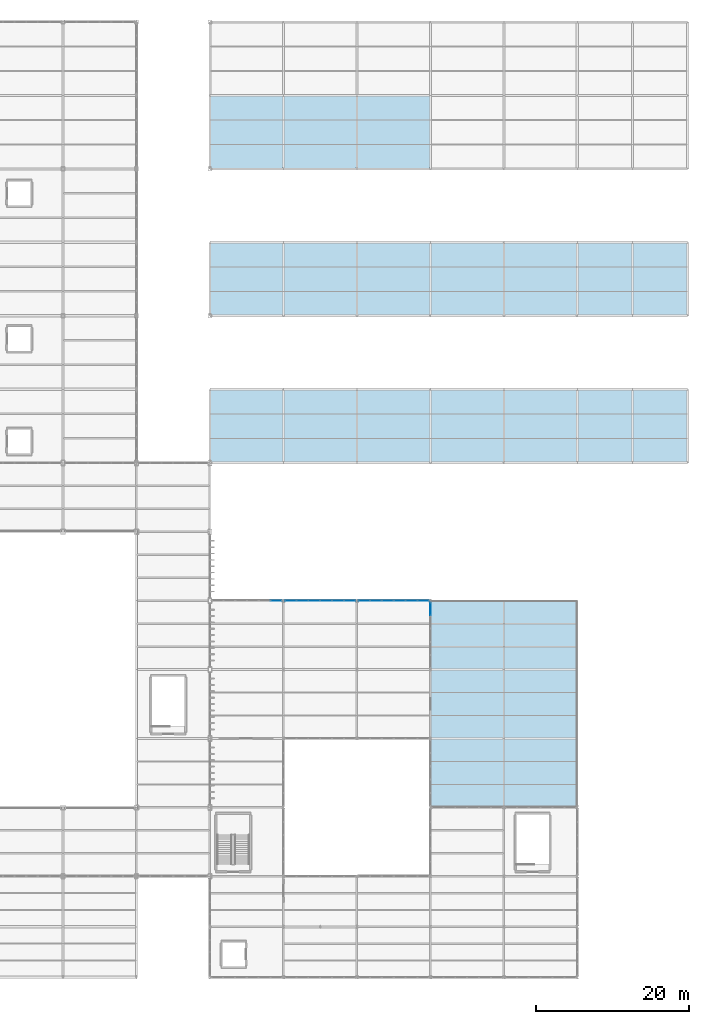
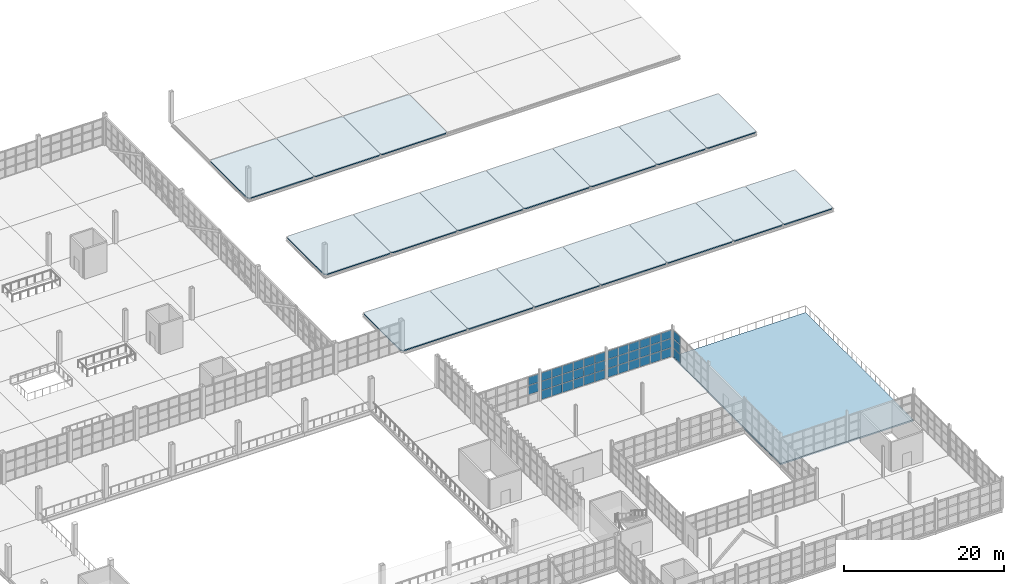
# One storey, part 94 of 120: 41 plates, 18 slabs, 4 elements without a shape of their own.
"""IFC4 building model written with IfcOpenShell, lengths in metres."""

from ifc_helpers import new_model, si_unit, direction, frame, origin, origin_2d, place, context, subcontext, project, spatial, polyline, rectangle, outline, extrude, material, layer, layer_set, type_object, element, aggregate, save


model = new_model("IFC4")

# Units and contexts
model_context = context("Model", 3, precision=1e-05, world=origin(), true_north=direction((0.0, 1.0)))
body_context = subcontext(model_context, "Body", "Model", "MODEL_VIEW")
ifc_project = project(units=[si_unit("LENGTHUNIT", "METRE"), si_unit("AREAUNIT", "SQUARE_METRE"), si_unit("VOLUMEUNIT", "CUBIC_METRE"), si_unit("PLANEANGLEUNIT", "RADIAN"), si_unit("MASSUNIT", "GRAM", prefix="KILO")], contexts=[model_context])

# Site, building, storey
site_placement = place(None, origin())
site = spatial("IfcSite", under=ifc_project, at=site_placement, CompositionType="ELEMENT")
building_placement = place(site_placement, origin())
building = spatial("IfcBuilding", under=site, at=building_placement, Name="Zarnetskaya Central Station", CompositionType="ELEMENT")
storey_placement = place(building_placement, frame((0.0, 0.0, 5.39990234375)))
storey = spatial("IfcBuildingStorey", under=building, at=storey_placement, Name="L01", CompositionType="ELEMENT", Elevation=5.39990234375)

# Curtain wall, plates
ifc_material_1 = material(Name="Low-E insulated glass", Category="glass")
ifc_layer_1 = layer(ifc_material_1, 0.159912109375, Name="Low-E insulated glass", Category="glass")
ifc_layer_set_1 = layer_set([ifc_layer_1], Name="Low-E insulated glass")
curtain_wall_type = type_object("IfcCurtainWallType", Name="CW-SYS-06", PredefinedType="USERDEFINED", material=ifc_layer_set_1)
curtain_wall_1_placement = place(storey_placement, origin())
curtain_wall_1 = element("IfcCurtainWall", 1, at=curtain_wall_1_placement, inside=storey, type_object=curtain_wall_type, Name="Curtain wall CW-L01-115", ObjectType="CURTAIN WALL", PredefinedType="USERDEFINED")
ifc_layer_2 = layer(ifc_material_1, 0.028076171875, Name="Low-E insulated glass", Category="glass")
ifc_layer_set_2 = layer_set([ifc_layer_2], Name="Low-E insulated glass")
plate_type_1 = type_object("IfcPlateType", Name="CW-PAN-28", PredefinedType="CURTAIN_PANEL", material=ifc_layer_set_2)
plate_1_placement = place(storey_placement, frame((153.60009765625, 48.135498046875, 0.0703125), z_axis=(0.0, 0.0, 1.0), x_axis=(0.0, -1.0, 0.0)))
plate_1 = element("IfcPlate", 2, at=plate_1_placement, type_object=plate_type_1, Name="CW-02 panel 1.1", PredefinedType="CURTAIN_PANEL", context=body_context, shape_type="SweptSolid", body=[
    extrude(rectangle(XDim=1.62890625, YDim=0.028076171875, at=origin_2d()), origin(), (0.0, 0.0, 1.0), 1.322998046875),
])
plate_2_placement = place(storey_placement, frame((153.60009765625, 48.135498046875, 1.463134765625), z_axis=(0.0, 0.0, 1.0), x_axis=(0.0, -1.0, 0.0)))
plate_2 = element("IfcPlate", 3, at=plate_2_placement, type_object=plate_type_1, Name="CW-02 panel 1.2", PredefinedType="CURTAIN_PANEL", context=body_context, shape_type="SweptSolid", body=[
    extrude(rectangle(XDim=1.62890625, YDim=0.028076171875, at=origin_2d()), origin(), (0.0, 0.0, 1.0), 1.35791015625),
])
plate_3_placement = place(storey_placement, frame((153.60009765625, 48.135498046875, 2.89111328125), z_axis=(0.0, 0.0, 1.0), x_axis=(0.0, -1.0, 0.0)))
plate_3 = element("IfcPlate", 4, at=plate_3_placement, type_object=plate_type_1, Name="CW-02 panel 1.3", PredefinedType="CURTAIN_PANEL", context=body_context, shape_type="SweptSolid", body=[
    extrude(rectangle(XDim=1.62890625, YDim=0.028076171875, at=origin_2d()), origin(), (0.0, 0.0, 1.0), 1.239013671875),
])
aggregate(curtain_wall_1, [plate_1, plate_2, plate_3])

curtain_wall_2_placement = place(storey_placement, origin())
curtain_wall_2 = element("IfcCurtainWall", 5, at=curtain_wall_2_placement, inside=storey, type_object=curtain_wall_type, Name="Curtain wall CW-L01-112", ObjectType="CURTAIN WALL", PredefinedType="USERDEFINED")
ifc_layer_3 = layer(ifc_material_1, 0.035888671875, Name="Low-E insulated glass", Category="glass")
ifc_layer_set_3 = layer_set([ifc_layer_3], Name="Low-E insulated glass")
plate_type_2 = type_object("IfcPlateType", Name="CW-PAN-36", PredefinedType="CURTAIN_PANEL", material=ifc_layer_set_3)
plate_4_placement = place(storey_placement, frame((133.46337890625, 49.199951171875, 1.46826171875), z_axis=(0.0, 0.0, 1.0), x_axis=(1.0, 0.0, 0.0)))
plate_4 = element("IfcPlate", 6, at=plate_4_placement, type_object=plate_type_2, Name="CW-02 panel 6.2", PredefinedType="CURTAIN_PANEL", context=body_context, shape_type="SweptSolid", body=[
    extrude(rectangle(XDim=1.413330078125, YDim=0.035888671875, at=origin_2d()), origin(), (0.0, 0.0, 1.0), 1.347900390625),
])
plate_5_placement = place(storey_placement, frame((133.46337890625, 49.199951171875, 2.89599609375), z_axis=(0.0, 0.0, 1.0), x_axis=(1.0, 0.0, 0.0)))
plate_5 = element("IfcPlate", 7, at=plate_5_placement, type_object=plate_type_2, Name="CW-02 panel 6.3", PredefinedType="CURTAIN_PANEL", context=body_context, shape_type="SweptSolid", body=[
    extrude(rectangle(XDim=1.413330078125, YDim=0.035888671875, at=origin_2d()), origin(), (0.0, 0.0, 1.0), 1.22412109375),
])
aggregate(curtain_wall_2, [plate_4, plate_5])

curtain_wall_3_placement = place(storey_placement, origin())
curtain_wall_3 = element("IfcCurtainWall", 8, at=curtain_wall_3_placement, inside=storey, type_object=curtain_wall_type, Name="Curtain wall CW-L01-113", ObjectType="CURTAIN WALL", PredefinedType="USERDEFINED")
ifc_layer_4 = layer(ifc_material_1, 0.0400390625, Name="Low-E insulated glass", Category="glass")
ifc_layer_set_4 = layer_set([ifc_layer_4], Name="Low-E insulated glass")
plate_type_3 = type_object("IfcPlateType", Name="CW-PAN-40", PredefinedType="CURTAIN_PANEL", material=ifc_layer_set_4)
plate_6_placement = place(storey_placement, frame((135.342529296875, 49.199951171875, 0.0703125), z_axis=(0.0, 0.0, 1.0), x_axis=(1.0, 0.0, 0.0)))
plate_6 = element("IfcPlate", 9, at=plate_6_placement, type_object=plate_type_3, Name="CW-02 panel 1.1", PredefinedType="CURTAIN_PANEL", context=body_context, shape_type="SweptSolid", body=[
    extrude(rectangle(XDim=1.445068359375, YDim=0.0400390625, at=origin_2d()), origin(), (0.0, 0.0, 1.0), 1.322998046875),
])
plate_7_placement = place(storey_placement, frame((135.342529296875, 49.199951171875, 1.463134765625), z_axis=(0.0, 0.0, 1.0), x_axis=(1.0, 0.0, 0.0)))
plate_7 = element("IfcPlate", 10, at=plate_7_placement, type_object=plate_type_3, Name="CW-02 panel 1.2", PredefinedType="CURTAIN_PANEL", context=body_context, shape_type="SweptSolid", body=[
    extrude(rectangle(XDim=1.445068359375, YDim=0.0400390625, at=origin_2d()), origin(), (0.0, 0.0, 1.0), 1.35791015625),
])
plate_8_placement = place(storey_placement, frame((135.342529296875, 49.199951171875, 2.89111328125), z_axis=(0.0, 0.0, 1.0), x_axis=(1.0, 0.0, 0.0)))
plate_8 = element("IfcPlate", 11, at=plate_8_placement, type_object=plate_type_3, Name="CW-02 panel 1.3", PredefinedType="CURTAIN_PANEL", context=body_context, shape_type="SweptSolid", body=[
    extrude(rectangle(XDim=1.445068359375, YDim=0.0400390625, at=origin_2d()), origin(), (0.0, 0.0, 1.0), 1.239013671875),
])
plate_9_placement = place(storey_placement, frame((136.875, 49.199951171875, 0.0703125), z_axis=(0.0, 0.0, 1.0), x_axis=(1.0, 0.0, 0.0)))
plate_9 = element("IfcPlate", 12, at=plate_9_placement, type_object=plate_type_3, Name="CW-02 panel 2.1", PredefinedType="CURTAIN_PANEL", context=body_context, shape_type="SweptSolid", body=[
    extrude(rectangle(XDim=1.47998046875, YDim=0.0400390625, at=origin_2d()), origin(), (0.0, 0.0, 1.0), 1.322998046875),
])
plate_10_placement = place(storey_placement, frame((136.875, 49.199951171875, 1.463134765625), z_axis=(0.0, 0.0, 1.0), x_axis=(1.0, 0.0, 0.0)))
plate_10 = element("IfcPlate", 13, at=plate_10_placement, type_object=plate_type_3, Name="CW-02 panel 2.2", PredefinedType="CURTAIN_PANEL", context=body_context, shape_type="SweptSolid", body=[
    extrude(rectangle(XDim=1.47998046875, YDim=0.0400390625, at=origin_2d()), origin(), (0.0, 0.0, 1.0), 1.35791015625),
])
plate_11_placement = place(storey_placement, frame((136.875, 49.199951171875, 2.89111328125), z_axis=(0.0, 0.0, 1.0), x_axis=(1.0, 0.0, 0.0)))
plate_11 = element("IfcPlate", 14, at=plate_11_placement, type_object=plate_type_3, Name="CW-02 panel 2.3", PredefinedType="CURTAIN_PANEL", context=body_context, shape_type="SweptSolid", body=[
    extrude(rectangle(XDim=1.47998046875, YDim=0.0400390625, at=origin_2d()), origin(), (0.0, 0.0, 1.0), 1.239013671875),
])
plate_12_placement = place(storey_placement, frame((138.425048828125, 49.199951171875, 0.0703125), z_axis=(0.0, 0.0, 1.0), x_axis=(1.0, 0.0, 0.0)))
plate_12 = element("IfcPlate", 15, at=plate_12_placement, type_object=plate_type_3, Name="CW-02 panel 3.1", PredefinedType="CURTAIN_PANEL", context=body_context, shape_type="SweptSolid", body=[
    extrude(rectangle(XDim=1.47998046875, YDim=0.0400390625, at=origin_2d()), origin(), (0.0, 0.0, 1.0), 1.322998046875),
])
plate_13_placement = place(storey_placement, frame((138.425048828125, 49.199951171875, 1.463134765625), z_axis=(0.0, 0.0, 1.0), x_axis=(1.0, 0.0, 0.0)))
plate_13 = element("IfcPlate", 16, at=plate_13_placement, type_object=plate_type_3, Name="CW-02 panel 3.2", PredefinedType="CURTAIN_PANEL", context=body_context, shape_type="SweptSolid", body=[
    extrude(rectangle(XDim=1.47998046875, YDim=0.0400390625, at=origin_2d()), origin(), (0.0, 0.0, 1.0), 1.35791015625),
])
plate_14_placement = place(storey_placement, frame((138.425048828125, 49.199951171875, 2.89111328125), z_axis=(0.0, 0.0, 1.0), x_axis=(1.0, 0.0, 0.0)))
plate_14 = element("IfcPlate", 17, at=plate_14_placement, type_object=plate_type_3, Name="CW-02 panel 3.3", PredefinedType="CURTAIN_PANEL", context=body_context, shape_type="SweptSolid", body=[
    extrude(rectangle(XDim=1.47998046875, YDim=0.0400390625, at=origin_2d()), origin(), (0.0, 0.0, 1.0), 1.239013671875),
])
plate_15_placement = place(storey_placement, frame((139.97509765625, 49.199951171875, 0.0703125), z_axis=(0.0, 0.0, 1.0), x_axis=(1.0, 0.0, 0.0)))
plate_15 = element("IfcPlate", 18, at=plate_15_placement, type_object=plate_type_3, Name="CW-02 panel 4.1", PredefinedType="CURTAIN_PANEL", context=body_context, shape_type="SweptSolid", body=[
    extrude(rectangle(XDim=1.47998046875, YDim=0.0400390625, at=origin_2d()), origin(), (0.0, 0.0, 1.0), 1.322998046875),
])
plate_16_placement = place(storey_placement, frame((139.97509765625, 49.199951171875, 1.463134765625), z_axis=(0.0, 0.0, 1.0), x_axis=(1.0, 0.0, 0.0)))
plate_16 = element("IfcPlate", 19, at=plate_16_placement, type_object=plate_type_3, Name="CW-02 panel 4.2", PredefinedType="CURTAIN_PANEL", context=body_context, shape_type="SweptSolid", body=[
    extrude(rectangle(XDim=1.47998046875, YDim=0.0400390625, at=origin_2d()), origin(), (0.0, 0.0, 1.0), 1.35791015625),
])
plate_17_placement = place(storey_placement, frame((139.97509765625, 49.199951171875, 2.89111328125), z_axis=(0.0, 0.0, 1.0), x_axis=(1.0, 0.0, 0.0)))
plate_17 = element("IfcPlate", 20, at=plate_17_placement, type_object=plate_type_3, Name="CW-02 panel 4.3", PredefinedType="CURTAIN_PANEL", context=body_context, shape_type="SweptSolid", body=[
    extrude(rectangle(XDim=1.47998046875, YDim=0.0400390625, at=origin_2d()), origin(), (0.0, 0.0, 1.0), 1.239013671875),
])
plate_18_placement = place(storey_placement, frame((141.52490234375, 49.199951171875, 0.0703125), z_axis=(0.0, 0.0, 1.0), x_axis=(1.0, 0.0, 0.0)))
plate_18 = element("IfcPlate", 21, at=plate_18_placement, type_object=plate_type_3, Name="CW-02 panel 5.1", PredefinedType="CURTAIN_PANEL", context=body_context, shape_type="SweptSolid", body=[
    extrude(rectangle(XDim=1.47998046875, YDim=0.0400390625, at=origin_2d()), origin(), (0.0, 0.0, 1.0), 1.322998046875),
])
plate_19_placement = place(storey_placement, frame((141.52490234375, 49.199951171875, 1.463134765625), z_axis=(0.0, 0.0, 1.0), x_axis=(1.0, 0.0, 0.0)))
plate_19 = element("IfcPlate", 22, at=plate_19_placement, type_object=plate_type_3, Name="CW-02 panel 5.2", PredefinedType="CURTAIN_PANEL", context=body_context, shape_type="SweptSolid", body=[
    extrude(rectangle(XDim=1.47998046875, YDim=0.0400390625, at=origin_2d()), origin(), (0.0, 0.0, 1.0), 1.35791015625),
])
plate_20_placement = place(storey_placement, frame((141.52490234375, 49.199951171875, 2.89111328125), z_axis=(0.0, 0.0, 1.0), x_axis=(1.0, 0.0, 0.0)))
plate_20 = element("IfcPlate", 23, at=plate_20_placement, type_object=plate_type_3, Name="CW-02 panel 5.3", PredefinedType="CURTAIN_PANEL", context=body_context, shape_type="SweptSolid", body=[
    extrude(rectangle(XDim=1.47998046875, YDim=0.0400390625, at=origin_2d()), origin(), (0.0, 0.0, 1.0), 1.239013671875),
])
plate_21_placement = place(storey_placement, frame((143.0576171875, 49.199951171875, 0.0703125), z_axis=(0.0, 0.0, 1.0), x_axis=(1.0, 0.0, 0.0)))
plate_21 = element("IfcPlate", 24, at=plate_21_placement, type_object=plate_type_3, Name="CW-02 panel 6.1", PredefinedType="CURTAIN_PANEL", context=body_context, shape_type="SweptSolid", body=[
    extrude(rectangle(XDim=1.445068359375, YDim=0.0400390625, at=origin_2d()), origin(), (0.0, 0.0, 1.0), 1.322998046875),
])
plate_22_placement = place(storey_placement, frame((143.0576171875, 49.199951171875, 1.463134765625), z_axis=(0.0, 0.0, 1.0), x_axis=(1.0, 0.0, 0.0)))
plate_22 = element("IfcPlate", 25, at=plate_22_placement, type_object=plate_type_3, Name="CW-02 panel 6.2", PredefinedType="CURTAIN_PANEL", context=body_context, shape_type="SweptSolid", body=[
    extrude(rectangle(XDim=1.445068359375, YDim=0.0400390625, at=origin_2d()), origin(), (0.0, 0.0, 1.0), 1.35791015625),
])
plate_23_placement = place(storey_placement, frame((143.0576171875, 49.199951171875, 2.89111328125), z_axis=(0.0, 0.0, 1.0), x_axis=(1.0, 0.0, 0.0)))
plate_23 = element("IfcPlate", 26, at=plate_23_placement, type_object=plate_type_3, Name="CW-02 panel 6.3", PredefinedType="CURTAIN_PANEL", context=body_context, shape_type="SweptSolid", body=[
    extrude(rectangle(XDim=1.445068359375, YDim=0.0400390625, at=origin_2d()), origin(), (0.0, 0.0, 1.0), 1.239013671875),
])
aggregate(curtain_wall_3, [plate_6, plate_7, plate_8, plate_9, plate_10, plate_11, plate_12, plate_13, plate_14, plate_15, plate_16, plate_17, plate_18, plate_19, plate_20, plate_21, plate_22, plate_23])

curtain_wall_4_placement = place(storey_placement, origin())
curtain_wall_4 = element("IfcCurtainWall", 27, at=curtain_wall_4_placement, inside=storey, type_object=curtain_wall_type, Name="Curtain wall CW-L01-114", ObjectType="CURTAIN WALL", PredefinedType="USERDEFINED")
ifc_layer_5 = layer(ifc_material_1, 0.0439453125, Name="Low-E insulated glass", Category="glass")
ifc_layer_set_5 = layer_set([ifc_layer_5], Name="Low-E insulated glass")
plate_type_4 = type_object("IfcPlateType", Name="CW-PAN-44", PredefinedType="CURTAIN_PANEL", material=ifc_layer_set_5)
plate_24_placement = place(storey_placement, frame((144.945068359375, 49.199951171875, 0.080078125), z_axis=(0.0, 0.0, 1.0), x_axis=(1.0, 0.0, 0.0)))
plate_24 = element("IfcPlate", 28, at=plate_24_placement, type_object=plate_type_4, Name="CW-02 panel 1.1", PredefinedType="CURTAIN_PANEL", context=body_context, shape_type="SweptSolid", body=[
    extrude(rectangle(XDim=1.429931640625, YDim=0.0439453125, at=origin_2d()), origin(), (0.0, 0.0, 1.0), 1.30810546875),
])
plate_25_placement = place(storey_placement, frame((144.945068359375, 49.199951171875, 1.46826171875), z_axis=(0.0, 0.0, 1.0), x_axis=(1.0, 0.0, 0.0)))
plate_25 = element("IfcPlate", 29, at=plate_25_placement, type_object=plate_type_4, Name="CW-02 panel 1.2", PredefinedType="CURTAIN_PANEL", context=body_context, shape_type="SweptSolid", body=[
    extrude(rectangle(XDim=1.429931640625, YDim=0.0439453125, at=origin_2d()), origin(), (0.0, 0.0, 1.0), 1.347900390625),
])
plate_26_placement = place(storey_placement, frame((144.945068359375, 49.199951171875, 2.89599609375), z_axis=(0.0, 0.0, 1.0), x_axis=(1.0, 0.0, 0.0)))
plate_26 = element("IfcPlate", 30, at=plate_26_placement, type_object=plate_type_4, Name="CW-02 panel 1.3", PredefinedType="CURTAIN_PANEL", context=body_context, shape_type="SweptSolid", body=[
    extrude(rectangle(XDim=1.429931640625, YDim=0.0439453125, at=origin_2d()), origin(), (0.0, 0.0, 1.0), 1.22412109375),
])
plate_27_placement = place(storey_placement, frame((146.47509765625, 49.199951171875, 0.080078125), z_axis=(0.0, 0.0, 1.0), x_axis=(1.0, 0.0, 0.0)))
plate_27 = element("IfcPlate", 31, at=plate_27_placement, type_object=plate_type_4, Name="CW-02 panel 2.1", PredefinedType="CURTAIN_PANEL", context=body_context, shape_type="SweptSolid", body=[
    extrude(rectangle(XDim=1.469970703125, YDim=0.0439453125, at=origin_2d()), origin(), (0.0, 0.0, 1.0), 1.30810546875),
])
plate_28_placement = place(storey_placement, frame((146.47509765625, 49.199951171875, 1.46826171875), z_axis=(0.0, 0.0, 1.0), x_axis=(1.0, 0.0, 0.0)))
plate_28 = element("IfcPlate", 32, at=plate_28_placement, type_object=plate_type_4, Name="CW-02 panel 2.2", PredefinedType="CURTAIN_PANEL", context=body_context, shape_type="SweptSolid", body=[
    extrude(rectangle(XDim=1.469970703125, YDim=0.0439453125, at=origin_2d()), origin(), (0.0, 0.0, 1.0), 1.347900390625),
])
plate_29_placement = place(storey_placement, frame((146.47509765625, 49.199951171875, 2.89599609375), z_axis=(0.0, 0.0, 1.0), x_axis=(1.0, 0.0, 0.0)))
plate_29 = element("IfcPlate", 33, at=plate_29_placement, type_object=plate_type_4, Name="CW-02 panel 2.3", PredefinedType="CURTAIN_PANEL", context=body_context, shape_type="SweptSolid", body=[
    extrude(rectangle(XDim=1.469970703125, YDim=0.0439453125, at=origin_2d()), origin(), (0.0, 0.0, 1.0), 1.22412109375),
])
plate_30_placement = place(storey_placement, frame((148.02490234375, 49.199951171875, 0.080078125), z_axis=(0.0, 0.0, 1.0), x_axis=(1.0, 0.0, 0.0)))
plate_30 = element("IfcPlate", 34, at=plate_30_placement, type_object=plate_type_4, Name="CW-02 panel 3.1", PredefinedType="CURTAIN_PANEL", context=body_context, shape_type="SweptSolid", body=[
    extrude(rectangle(XDim=1.469970703125, YDim=0.0439453125, at=origin_2d()), origin(), (0.0, 0.0, 1.0), 1.30810546875),
])
plate_31_placement = place(storey_placement, frame((148.02490234375, 49.199951171875, 1.46826171875), z_axis=(0.0, 0.0, 1.0), x_axis=(1.0, 0.0, 0.0)))
plate_31 = element("IfcPlate", 35, at=plate_31_placement, type_object=plate_type_4, Name="CW-02 panel 3.2", PredefinedType="CURTAIN_PANEL", context=body_context, shape_type="SweptSolid", body=[
    extrude(rectangle(XDim=1.469970703125, YDim=0.0439453125, at=origin_2d()), origin(), (0.0, 0.0, 1.0), 1.347900390625),
])
plate_32_placement = place(storey_placement, frame((148.02490234375, 49.199951171875, 2.89599609375), z_axis=(0.0, 0.0, 1.0), x_axis=(1.0, 0.0, 0.0)))
plate_32 = element("IfcPlate", 36, at=plate_32_placement, type_object=plate_type_4, Name="CW-02 panel 3.3", PredefinedType="CURTAIN_PANEL", context=body_context, shape_type="SweptSolid", body=[
    extrude(rectangle(XDim=1.469970703125, YDim=0.0439453125, at=origin_2d()), origin(), (0.0, 0.0, 1.0), 1.22412109375),
])
plate_33_placement = place(storey_placement, frame((149.574951171875, 49.199951171875, 0.080078125), z_axis=(0.0, 0.0, 1.0), x_axis=(1.0, 0.0, 0.0)))
plate_33 = element("IfcPlate", 37, at=plate_33_placement, type_object=plate_type_4, Name="CW-02 panel 4.1", PredefinedType="CURTAIN_PANEL", context=body_context, shape_type="SweptSolid", body=[
    extrude(rectangle(XDim=1.469970703125, YDim=0.0439453125, at=origin_2d()), origin(), (0.0, 0.0, 1.0), 1.30810546875),
])
plate_34_placement = place(storey_placement, frame((149.574951171875, 49.199951171875, 1.46826171875), z_axis=(0.0, 0.0, 1.0), x_axis=(1.0, 0.0, 0.0)))
plate_34 = element("IfcPlate", 38, at=plate_34_placement, type_object=plate_type_4, Name="CW-02 panel 4.2", PredefinedType="CURTAIN_PANEL", context=body_context, shape_type="SweptSolid", body=[
    extrude(rectangle(XDim=1.469970703125, YDim=0.0439453125, at=origin_2d()), origin(), (0.0, 0.0, 1.0), 1.347900390625),
])
plate_35_placement = place(storey_placement, frame((149.574951171875, 49.199951171875, 2.89599609375), z_axis=(0.0, 0.0, 1.0), x_axis=(1.0, 0.0, 0.0)))
plate_35 = element("IfcPlate", 39, at=plate_35_placement, type_object=plate_type_4, Name="CW-02 panel 4.3", PredefinedType="CURTAIN_PANEL", context=body_context, shape_type="SweptSolid", body=[
    extrude(rectangle(XDim=1.469970703125, YDim=0.0439453125, at=origin_2d()), origin(), (0.0, 0.0, 1.0), 1.22412109375),
])
plate_36_placement = place(storey_placement, frame((151.125, 49.199951171875, 0.080078125), z_axis=(0.0, 0.0, 1.0), x_axis=(1.0, 0.0, 0.0)))
plate_36 = element("IfcPlate", 40, at=plate_36_placement, type_object=plate_type_4, Name="CW-02 panel 5.1", PredefinedType="CURTAIN_PANEL", context=body_context, shape_type="SweptSolid", body=[
    extrude(rectangle(XDim=1.469970703125, YDim=0.0439453125, at=origin_2d()), origin(), (0.0, 0.0, 1.0), 1.30810546875),
])
plate_37_placement = place(storey_placement, frame((151.125, 49.199951171875, 1.46826171875), z_axis=(0.0, 0.0, 1.0), x_axis=(1.0, 0.0, 0.0)))
plate_37 = element("IfcPlate", 41, at=plate_37_placement, type_object=plate_type_4, Name="CW-02 panel 5.2", PredefinedType="CURTAIN_PANEL", context=body_context, shape_type="SweptSolid", body=[
    extrude(rectangle(XDim=1.469970703125, YDim=0.0439453125, at=origin_2d()), origin(), (0.0, 0.0, 1.0), 1.347900390625),
])
plate_38_placement = place(storey_placement, frame((151.125, 49.199951171875, 2.89599609375), z_axis=(0.0, 0.0, 1.0), x_axis=(1.0, 0.0, 0.0)))
plate_38 = element("IfcPlate", 42, at=plate_38_placement, type_object=plate_type_4, Name="CW-02 panel 5.3", PredefinedType="CURTAIN_PANEL", context=body_context, shape_type="SweptSolid", body=[
    extrude(rectangle(XDim=1.469970703125, YDim=0.0439453125, at=origin_2d()), origin(), (0.0, 0.0, 1.0), 1.22412109375),
])
plate_39_placement = place(storey_placement, frame((152.655029296875, 49.199951171875, 0.080078125), z_axis=(0.0, 0.0, 1.0), x_axis=(1.0, 0.0, 0.0)))
plate_39 = element("IfcPlate", 43, at=plate_39_placement, type_object=plate_type_4, Name="CW-02 panel 6.1", PredefinedType="CURTAIN_PANEL", context=body_context, shape_type="SweptSolid", body=[
    extrude(rectangle(XDim=1.429931640625, YDim=0.0439453125, at=origin_2d()), origin(), (0.0, 0.0, 1.0), 1.30810546875),
])
plate_40_placement = place(storey_placement, frame((152.655029296875, 49.199951171875, 1.46826171875), z_axis=(0.0, 0.0, 1.0), x_axis=(1.0, 0.0, 0.0)))
plate_40 = element("IfcPlate", 44, at=plate_40_placement, type_object=plate_type_4, Name="CW-02 panel 6.2", PredefinedType="CURTAIN_PANEL", context=body_context, shape_type="SweptSolid", body=[
    extrude(rectangle(XDim=1.429931640625, YDim=0.0439453125, at=origin_2d()), origin(), (0.0, 0.0, 1.0), 1.347900390625),
])
plate_41_placement = place(storey_placement, frame((152.655029296875, 49.199951171875, 2.89599609375), z_axis=(0.0, 0.0, 1.0), x_axis=(1.0, 0.0, 0.0)))
plate_41 = element("IfcPlate", 45, at=plate_41_placement, type_object=plate_type_4, Name="CW-02 panel 6.3", PredefinedType="CURTAIN_PANEL", context=body_context, shape_type="SweptSolid", body=[
    extrude(rectangle(XDim=1.429931640625, YDim=0.0439453125, at=origin_2d()), origin(), (0.0, 0.0, 1.0), 1.22412109375),
])
aggregate(curtain_wall_4, [plate_24, plate_25, plate_26, plate_27, plate_28, plate_29, plate_30, plate_31, plate_32, plate_33, plate_34, plate_35, plate_36, plate_37, plate_38, plate_39, plate_40, plate_41])

# Slabs
ifc_material_2 = material(Name="Concrete C30/37", Category="concrete")
ifc_layer_6 = layer(ifc_material_2, 0.159912109375, Name="Concrete C30/37", Category="concrete")
ifc_layer_set_6 = layer_set([ifc_layer_6], Name="Concrete C30/37")
slab_type_1 = type_object("IfcSlabType", Name="ROOF-CANOPY-160", PredefinedType="ROOF", material=ifc_layer_set_6)
slab_1_placement = place(storey_placement, frame((0.0, 0.0, -0.159912109375)))
element("IfcSlab", 46, at=slab_1_placement, inside=storey, type_object=slab_type_1, Name="Platform canopy slab 9-10 P-Q", PredefinedType="ROOF", context=body_context, shape_type="SweptSolid", body=[
    extrude(outline(polyline([(125.0400390625, 67.199951171875), (134.159912109375, 67.199951171875), (134.39990234375, 67.43994140625), (134.39990234375, 76.56005859375), (134.159912109375, 76.800048828125), (125.0400390625, 76.800048828125), (124.800048828125, 76.56005859375), (124.800048828125, 67.43994140625), (125.0400390625, 67.199951171875)])), origin(), (0.0, 0.0, 1.0), 0.159912109375),
])
slab_2_placement = place(storey_placement, frame((0.0, 0.0, -0.159912109375)))
element("IfcSlab", 47, at=slab_2_placement, inside=storey, type_object=slab_type_1, Name="Platform canopy slab 11-12 P-Q", PredefinedType="ROOF", context=body_context, shape_type="SweptSolid", body=[
    extrude(outline(polyline([(125.0400390625, 86.39990234375), (134.159912109375, 86.39990234375), (134.39990234375, 86.639892578125), (134.39990234375, 95.760009765625), (134.159912109375, 96.0), (125.0400390625, 96.0), (124.800048828125, 95.760009765625), (124.800048828125, 86.639892578125), (125.0400390625, 86.39990234375)])), origin(), (0.0, 0.0, 1.0), 0.159912109375),
])
slab_3_placement = place(storey_placement, frame((0.0, 0.0, -0.159912109375)))
element("IfcSlab", 48, at=slab_3_placement, inside=storey, type_object=slab_type_1, Name="Platform canopy slab 13-14 P-Q", PredefinedType="ROOF", context=body_context, shape_type="SweptSolid", body=[
    extrude(outline(polyline([(125.0400390625, 105.60009765625), (134.159912109375, 105.60009765625), (134.39990234375, 105.840087890625), (134.39990234375, 114.9599609375), (134.159912109375, 115.199951171875), (125.0400390625, 115.199951171875), (124.800048828125, 114.9599609375), (124.800048828125, 105.840087890625), (125.0400390625, 105.60009765625)])), origin(), (0.0, 0.0, 1.0), 0.159912109375),
])
slab_4_placement = place(storey_placement, frame((0.0, 0.0, -0.159912109375)))
element("IfcSlab", 49, at=slab_4_placement, inside=storey, type_object=slab_type_1, Name="Platform canopy slab 9-10 Q-R", PredefinedType="ROOF", context=body_context, shape_type="SweptSolid", body=[
    extrude(outline(polyline([(134.639892578125, 67.199951171875), (143.760009765625, 67.199951171875), (144.0, 67.43994140625), (144.0, 76.56005859375), (143.760009765625, 76.800048828125), (134.639892578125, 76.800048828125), (134.39990234375, 76.56005859375), (134.39990234375, 67.43994140625), (134.639892578125, 67.199951171875)])), origin(), (0.0, 0.0, 1.0), 0.159912109375),
])
slab_5_placement = place(storey_placement, frame((0.0, 0.0, -0.159912109375)))
element("IfcSlab", 50, at=slab_5_placement, inside=storey, type_object=slab_type_1, Name="Platform canopy slab 11-12 Q-R", PredefinedType="ROOF", context=body_context, shape_type="SweptSolid", body=[
    extrude(outline(polyline([(134.639892578125, 86.39990234375), (143.760009765625, 86.39990234375), (144.0, 86.639892578125), (144.0, 95.760009765625), (143.760009765625, 96.0), (134.639892578125, 96.0), (134.39990234375, 95.760009765625), (134.39990234375, 86.639892578125), (134.639892578125, 86.39990234375)])), origin(), (0.0, 0.0, 1.0), 0.159912109375),
])
slab_6_placement = place(storey_placement, frame((0.0, 0.0, -0.159912109375)))
element("IfcSlab", 51, at=slab_6_placement, inside=storey, type_object=slab_type_1, Name="Platform canopy slab 13-14 Q-R", PredefinedType="ROOF", context=body_context, shape_type="SweptSolid", body=[
    extrude(outline(polyline([(134.639892578125, 105.60009765625), (143.760009765625, 105.60009765625), (144.0, 105.840087890625), (144.0, 114.9599609375), (143.760009765625, 115.199951171875), (134.639892578125, 115.199951171875), (134.39990234375, 114.9599609375), (134.39990234375, 105.840087890625), (134.639892578125, 105.60009765625)])), origin(), (0.0, 0.0, 1.0), 0.159912109375),
])
slab_7_placement = place(storey_placement, frame((0.0, 0.0, -0.159912109375)))
element("IfcSlab", 52, at=slab_7_placement, inside=storey, type_object=slab_type_1, Name="Platform canopy slab 9-10 R-S", PredefinedType="ROOF", context=body_context, shape_type="SweptSolid", body=[
    extrude(outline(polyline([(144.239990234375, 67.199951171875), (153.360107421875, 67.199951171875), (153.60009765625, 67.43994140625), (153.60009765625, 76.56005859375), (153.360107421875, 76.800048828125), (144.239990234375, 76.800048828125), (144.0, 76.56005859375), (144.0, 67.43994140625), (144.239990234375, 67.199951171875)])), origin(), (0.0, 0.0, 1.0), 0.159912109375),
])
slab_8_placement = place(storey_placement, frame((0.0, 0.0, -0.159912109375)))
element("IfcSlab", 53, at=slab_8_placement, inside=storey, type_object=slab_type_1, Name="Platform canopy slab 11-12 R-S", PredefinedType="ROOF", context=body_context, shape_type="SweptSolid", body=[
    extrude(outline(polyline([(144.239990234375, 86.39990234375), (153.360107421875, 86.39990234375), (153.60009765625, 86.639892578125), (153.60009765625, 95.760009765625), (153.360107421875, 96.0), (144.239990234375, 96.0), (144.0, 95.760009765625), (144.0, 86.639892578125), (144.239990234375, 86.39990234375)])), origin(), (0.0, 0.0, 1.0), 0.159912109375),
])
slab_9_placement = place(storey_placement, frame((0.0, 0.0, -0.159912109375)))
element("IfcSlab", 54, at=slab_9_placement, inside=storey, type_object=slab_type_1, Name="Platform canopy slab 13-14 R-S", PredefinedType="ROOF", context=body_context, shape_type="SweptSolid", body=[
    extrude(outline(polyline([(144.239990234375, 105.60009765625), (153.360107421875, 105.60009765625), (153.60009765625, 105.840087890625), (153.60009765625, 114.9599609375), (153.360107421875, 115.199951171875), (144.239990234375, 115.199951171875), (144.0, 114.9599609375), (144.0, 105.840087890625), (144.239990234375, 105.60009765625)])), origin(), (0.0, 0.0, 1.0), 0.159912109375),
])
slab_10_placement = place(storey_placement, frame((0.0, 0.0, -0.159912109375)))
element("IfcSlab", 55, at=slab_10_placement, inside=storey, type_object=slab_type_1, Name="Platform canopy slab 9-10 S-T", PredefinedType="ROOF", context=body_context, shape_type="SweptSolid", body=[
    extrude(outline(polyline([(153.840087890625, 67.199951171875), (162.9599609375, 67.199951171875), (163.199951171875, 67.43994140625), (163.199951171875, 76.56005859375), (162.9599609375, 76.800048828125), (153.840087890625, 76.800048828125), (153.60009765625, 76.56005859375), (153.60009765625, 67.43994140625), (153.840087890625, 67.199951171875)])), origin(), (0.0, 0.0, 1.0), 0.159912109375),
])
slab_11_placement = place(storey_placement, frame((0.0, 0.0, -0.159912109375)))
element("IfcSlab", 56, at=slab_11_placement, inside=storey, type_object=slab_type_1, Name="Platform canopy slab 11-12 S-T", PredefinedType="ROOF", context=body_context, shape_type="SweptSolid", body=[
    extrude(outline(polyline([(153.840087890625, 86.39990234375), (162.9599609375, 86.39990234375), (163.199951171875, 86.639892578125), (163.199951171875, 95.760009765625), (162.9599609375, 96.0), (153.840087890625, 96.0), (153.60009765625, 95.760009765625), (153.60009765625, 86.639892578125), (153.840087890625, 86.39990234375)])), origin(), (0.0, 0.0, 1.0), 0.159912109375),
])
slab_12_placement = place(storey_placement, frame((0.0, 0.0, -0.159912109375)))
element("IfcSlab", 57, at=slab_12_placement, inside=storey, type_object=slab_type_1, Name="Platform canopy slab 9-10 T-U", PredefinedType="ROOF", context=body_context, shape_type="SweptSolid", body=[
    extrude(outline(polyline([(163.43994140625, 67.199951171875), (172.56005859375, 67.199951171875), (172.800048828125, 67.43994140625), (172.800048828125, 76.56005859375), (172.56005859375, 76.800048828125), (163.43994140625, 76.800048828125), (163.199951171875, 76.56005859375), (163.199951171875, 67.43994140625), (163.43994140625, 67.199951171875)])), origin(), (0.0, 0.0, 1.0), 0.159912109375),
])
slab_13_placement = place(storey_placement, frame((0.0, 0.0, -0.159912109375)))
element("IfcSlab", 58, at=slab_13_placement, inside=storey, type_object=slab_type_1, Name="Platform canopy slab 11-12 T-U", PredefinedType="ROOF", context=body_context, shape_type="SweptSolid", body=[
    extrude(outline(polyline([(163.43994140625, 86.39990234375), (172.56005859375, 86.39990234375), (172.800048828125, 86.639892578125), (172.800048828125, 95.760009765625), (172.56005859375, 96.0), (163.43994140625, 96.0), (163.199951171875, 95.760009765625), (163.199951171875, 86.639892578125), (163.43994140625, 86.39990234375)])), origin(), (0.0, 0.0, 1.0), 0.159912109375),
])
slab_14_placement = place(storey_placement, frame((0.0, 0.0, -0.159912109375)))
element("IfcSlab", 59, at=slab_14_placement, inside=storey, type_object=slab_type_1, Name="Platform canopy slab 9-10 U-V", PredefinedType="ROOF", context=body_context, shape_type="SweptSolid", body=[
    extrude(outline(polyline([(173.0400390625, 67.199951171875), (179.760009765625, 67.199951171875), (180.0, 67.43994140625), (180.0, 76.56005859375), (179.760009765625, 76.800048828125), (173.0400390625, 76.800048828125), (172.800048828125, 76.56005859375), (172.800048828125, 67.43994140625), (173.0400390625, 67.199951171875)])), origin(), (0.0, 0.0, 1.0), 0.159912109375),
])
slab_15_placement = place(storey_placement, frame((0.0, 0.0, -0.159912109375)))
element("IfcSlab", 60, at=slab_15_placement, inside=storey, type_object=slab_type_1, Name="Platform canopy slab 11-12 U-V", PredefinedType="ROOF", context=body_context, shape_type="SweptSolid", body=[
    extrude(outline(polyline([(173.0400390625, 86.39990234375), (179.760009765625, 86.39990234375), (180.0, 86.639892578125), (180.0, 95.760009765625), (179.760009765625, 96.0), (173.0400390625, 96.0), (172.800048828125, 95.760009765625), (172.800048828125, 86.639892578125), (173.0400390625, 86.39990234375)])), origin(), (0.0, 0.0, 1.0), 0.159912109375),
])
slab_16_placement = place(storey_placement, frame((0.0, 0.0, -0.159912109375)))
element("IfcSlab", 61, at=slab_16_placement, inside=storey, type_object=slab_type_1, Name="Platform canopy slab 9-10 V-W", PredefinedType="ROOF", context=body_context, shape_type="SweptSolid", body=[
    extrude(outline(polyline([(180.239990234375, 67.199951171875), (186.9599609375, 67.199951171875), (187.199951171875, 67.43994140625), (187.199951171875, 76.56005859375), (186.9599609375, 76.800048828125), (180.239990234375, 76.800048828125), (180.0, 76.56005859375), (180.0, 67.43994140625), (180.239990234375, 67.199951171875)])), origin(), (0.0, 0.0, 1.0), 0.159912109375),
])
slab_17_placement = place(storey_placement, frame((0.0, 0.0, -0.159912109375)))
element("IfcSlab", 62, at=slab_17_placement, inside=storey, type_object=slab_type_1, Name="Platform canopy slab 11-12 V-W", PredefinedType="ROOF", context=body_context, shape_type="SweptSolid", body=[
    extrude(outline(polyline([(180.239990234375, 86.39990234375), (186.9599609375, 86.39990234375), (187.199951171875, 86.639892578125), (187.199951171875, 95.760009765625), (186.9599609375, 96.0), (180.239990234375, 96.0), (180.0, 95.760009765625), (180.0, 86.639892578125), (180.239990234375, 86.39990234375)])), origin(), (0.0, 0.0, 1.0), 0.159912109375),
])
ifc_layer_7 = layer(ifc_material_2, 0.219970703125, Name="Concrete C30/37", Category="concrete")
ifc_layer_set_7 = layer_set([ifc_layer_7], Name="Concrete C30/37")
slab_type_2 = type_object("IfcSlabType", Name="SLAB-TER-220", PredefinedType="FLOOR", material=ifc_layer_set_7)
slab_18_placement = place(storey_placement, frame((0.0, 0.0, -0.219970703125)))
element("IfcSlab", 63, at=slab_18_placement, inside=storey, type_object=slab_type_2, Name="Pavilion L01 outdoor dining terrace slab", PredefinedType="FLOOR", context=body_context, shape_type="SweptSolid", body=[
    extrude(outline(polyline([(153.60009765625, 22.199951171875), (172.800048828125, 22.199951171875), (172.800048828125, 49.199951171875), (153.60009765625, 49.199951171875), (153.60009765625, 22.199951171875)])), origin(), (0.0, 0.0, 1.0), 0.219970703125),
])

save(model, "model.ifc")
